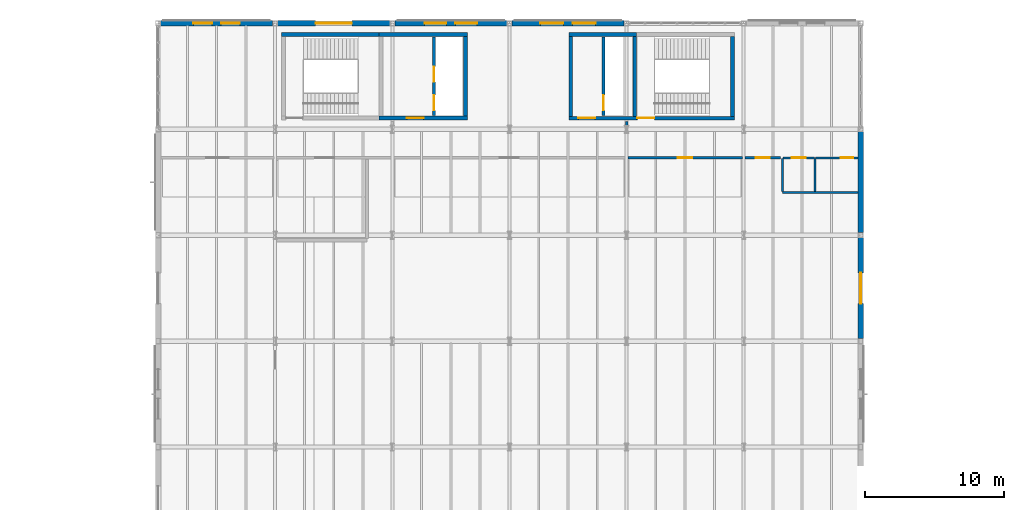
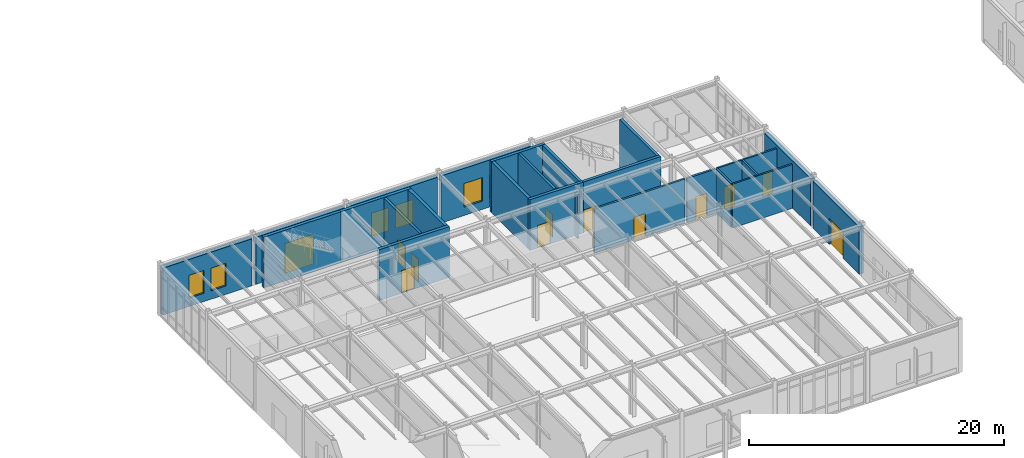
# One storey, part 89 of 109: 26 walls, 12 doors, 6 windows, 18 openings.
"""IFC4 building model written with IfcOpenShell, lengths in metres."""

import ifcopenshell
import ifcopenshell.guid

model = None  # the IFC model being written
_history = None  # IfcOwnerHistory: only IFC2X3 demands one
_inside = {}  # id of a spatial element -> (the spatial element, [elements in it])
_under = {}  # id of a project, library or spatial element -> (it, [spatial elements below it])
_declared = {}  # id of a project -> (the project, [libraries it declares])
_typed = {}  # id of a type object -> (the type object, [elements of that type])
_made_of = {}  # id of a material, layer set ... -> (it, [elements and type objects made of it])


def new_model(schema):
    """Start an empty IFC model of exactly this schema.

    Asked for "IFC4X3", IfcOpenShell would pick the latest addendum, in which some entities
    have other attributes; the version numbers below select the first issue.
    IFC2X3 requires an IfcOwnerHistory on every rooted entity: one is made here for all.
    """
    global model, _history
    if schema == "IFC4X3":
        model = ifcopenshell.file(schema_version=(4, 3, 0, 0))
    else:
        model = ifcopenshell.file(schema=schema)
    _inside.clear()
    _under.clear()
    _declared.clear()
    _typed.clear()
    _made_of.clear()
    _history = None
    if model.schema == "IFC2X3":
        org = make("IfcOrganization", Name="unknown")
        user = make(
            "IfcPersonAndOrganization",
            ThePerson=make("IfcPerson", FamilyName="unknown"),
            TheOrganization=org,
        )
        app = make(
            "IfcApplication",
            ApplicationDeveloper=org,
            Version="unknown",
            ApplicationFullName="unknown",
            ApplicationIdentifier="unknown",
        )
        _history = make(
            "IfcOwnerHistory",
            OwningUser=user,
            OwningApplication=app,
            ChangeAction="ADDED",
            CreationDate=0,
        )
    return model


def make(cls, **values):
    """One entity of the class cls with the attributes given. An attribute that is None is left unset."""
    return model.create_entity(
        cls, **{name: value for name, value in values.items() if value is not None}
    )


def rooted(cls, **values):
    """An entity with a GlobalId (a new one), such as an element, a storey or a relation."""
    return make(cls, GlobalId=ifcopenshell.guid.new(), OwnerHistory=_history, **values)


def si_unit(unit_type, name, prefix=None):
    """IfcSIUnit, for example si_unit("LENGTHUNIT", "METRE", prefix="MILLI")."""
    return make("IfcSIUnit", UnitType=unit_type, Prefix=prefix, Name=name)


def assignment(units):
    """IfcUnitAssignment: the units of a project."""
    return None if units is None else make("IfcUnitAssignment", Units=units)


def point(xyz):
    """IfcCartesianPoint."""
    return None if xyz is None else make("IfcCartesianPoint", Coordinates=xyz)


def direction(xyz):
    """IfcDirection."""
    return None if xyz is None else make("IfcDirection", DirectionRatios=xyz)


def frame(location, z_axis=None, x_axis=None):
    """IfcAxis2Placement3D, a coordinate frame: its origin and axes. An axis left out is left unset."""
    return make(
        "IfcAxis2Placement3D",
        Location=point(location),
        Axis=direction(z_axis),
        RefDirection=direction(x_axis),
    )


def frame_2d(location, x_axis=None):
    """IfcAxis2Placement2D, a coordinate frame in the plane: its origin and x axis."""
    return make(
        "IfcAxis2Placement2D", Location=point(location), RefDirection=direction(x_axis)
    )


def origin():
    """The frame at (0, 0, 0) with its axes left unset."""
    return frame((0.0, 0.0, 0.0))


def place(relative_to, where):
    """IfcLocalPlacement: puts the frame where relative to a parent placement (None: the world)."""
    return make(
        "IfcLocalPlacement", PlacementRelTo=relative_to, RelativePlacement=where
    )


def context(
    kind, dimensions, precision=None, world=None, true_north=None, identifier=None
):
    """IfcGeometricRepresentationContext, for example the 3D "Model" context."""
    return make(
        "IfcGeometricRepresentationContext",
        ContextIdentifier=identifier,
        ContextType=kind,
        CoordinateSpaceDimension=dimensions,
        Precision=precision,
        WorldCoordinateSystem=world,
        TrueNorth=true_north,
    )


def subcontext(parent, identifier, kind, view, scale=None):
    """IfcGeometricRepresentationSubContext, for example "Body" below "Model"."""
    return make(
        "IfcGeometricRepresentationSubContext",
        ContextIdentifier=identifier,
        ContextType=kind,
        ParentContext=parent,
        TargetScale=scale,
        TargetView=view,
    )


def project(units=None, contexts=None):
    """IfcProject with its units and contexts."""
    return rooted(
        "IfcProject",
        Name="project",
        RepresentationContexts=contexts,
        UnitsInContext=assignment(units),
    )


def spatial(cls, under=None, at=None, **own):
    """A site, building, storey or space (cls), placed at a placement, below another one or the project."""
    s = rooted(cls, ObjectPlacement=at, **own)
    if under is not None:
        _under.setdefault(under.id(), (under, []))[1].append(s)
    return s


def profile(cls, at=None, kind="AREA", **sizes):
    """A parametric profile (cls). Its sizes go by their IFC names, for example OverallWidth=200.0."""
    return make(cls, ProfileType=kind, Position=at, **sizes)


def rectangle(**sizes):
    """IfcRectangleProfileDef."""
    return profile("IfcRectangleProfileDef", **sizes)


def extrude(swept, where, along, depth):
    """IfcExtrudedAreaSolid: the profile swept, set in the frame where, extruded along a direction by depth."""
    return make(
        "IfcExtrudedAreaSolid",
        SweptArea=swept,
        Position=where,
        ExtrudedDirection=direction(along),
        Depth=depth,
    )


def shape(context_of_items, identifier, shape_type, items):
    """IfcShapeRepresentation: the items that make up one representation, for example the "Body"."""
    return make(
        "IfcShapeRepresentation",
        ContextOfItems=context_of_items,
        RepresentationIdentifier=identifier,
        RepresentationType=shape_type,
        Items=items,
    )


def material(Name=None, Category=None):
    """IfcMaterial."""
    return make("IfcMaterial", Name=Name, Category=Category)


def layer(
    of_material, thickness, ventilated=None, Name=None, Category=None, Priority=None
):
    """IfcMaterialLayer: one layer of a wall or slab, of a material (None: an air gap)."""
    return make(
        "IfcMaterialLayer",
        Material=of_material,
        LayerThickness=thickness,
        IsVentilated=ventilated,
        Name=Name,
        Category=Category,
        Priority=Priority,
    )


def layer_set(layers, Name=None):
    """IfcMaterialLayerSet."""
    return make("IfcMaterialLayerSet", MaterialLayers=layers, LayerSetName=Name)


def made_of(thing, what):
    """Note that an element or type object is made of a material, layer set ...; save() writes the relation."""
    if what is not None:
        _made_of.setdefault(what.id(), (what, []))[1].append(thing)
    return thing


def type_object(cls, material=None, **own):
    """A type object (cls), such as IfcWallType, which elements share."""
    return made_of(rooted(cls, **own), material)


def element(
    cls,
    number,
    at=None,
    inside=None,
    cuts=None,
    type_object=None,
    material=None,
    context=None,
    identifier="Body",
    shape_type=None,
    held_by="IfcProductDefinitionShape",
    body=None,
    shapes=None,
    **own,
):
    """One element of the class cls, such as IfcWall. Its Tag is "e" and its number.

    at: its placement. inside: the storey or other place that contains it. cuts: it is an
    opening in that element (IfcRelVoidsElement). A single representation is given by context,
    identifier, shape_type and body (its items); several are given by shapes. held_by: the class
    of the entity that holds the representations. save() writes the other relations.
    """
    e = rooted(cls, Tag="e%d" % number, ObjectPlacement=at, **own)
    if body is not None:
        shapes = [shape(context, identifier, shape_type, body)]
    if shapes is not None:
        e.Representation = make(held_by, Representations=shapes)
    if inside is not None:
        _inside.setdefault(inside.id(), (inside, []))[1].append(e)
    if cuts is not None:
        rooted(
            "IfcRelVoidsElement", RelatingBuildingElement=cuts, RelatedOpeningElement=e
        )
    if type_object is not None:
        _typed.setdefault(type_object.id(), (type_object, []))[1].append(e)
    return made_of(e, material)


def fill(opening, filler):
    """IfcRelFillsElement: the door or window that sits in an opening."""
    return rooted(
        "IfcRelFillsElement",
        RelatingOpeningElement=opening,
        RelatedBuildingElement=filler,
    )


def aggregate(whole, parts):
    """IfcRelAggregates: a whole, such as a stair, and the parts it consists of."""
    return rooted("IfcRelAggregates", RelatingObject=whole, RelatedObjects=parts)


def save(model, path):
    """Write the relations noted so far, then the file.

    IfcRelAggregates (storeys below a building ...), IfcRelContainedInSpatialStructure (elements
    in a storey), IfcRelDefinesByType, IfcRelAssociatesMaterial and IfcRelDeclares: one each for
    every whole, place, type object, material and project.
    """
    for whole, parts in _under.values():
        aggregate(whole, parts)
    for where, things in _inside.values():
        rooted(
            "IfcRelContainedInSpatialStructure",
            RelatedElements=things,
            RelatingStructure=where,
        )
    for kind, things in _typed.values():
        rooted("IfcRelDefinesByType", RelatedObjects=things, RelatingType=kind)
    for what, things in _made_of.values():
        rooted("IfcRelAssociatesMaterial", RelatedObjects=things, RelatingMaterial=what)
    for by, libraries in _declared.values():
        rooted("IfcRelDeclares", RelatingContext=by, RelatedDefinitions=libraries)
    model.write(path)


model = new_model("IFC4")

# Units and contexts
model_context = context("Model", 3, precision=1e-05, world=origin(), true_north=direction((0.0, 1.0)))
body_context = subcontext(model_context, "Body", "Model", "MODEL_VIEW")
ifc_project = project(units=[si_unit("LENGTHUNIT", "METRE"), si_unit("AREAUNIT", "SQUARE_METRE"), si_unit("VOLUMEUNIT", "CUBIC_METRE"), si_unit("PLANEANGLEUNIT", "RADIAN"), si_unit("MASSUNIT", "GRAM", prefix="KILO")], contexts=[model_context])

# Site, building, storey
site_placement = place(None, origin())
site = spatial("IfcSite", under=ifc_project, at=site_placement, CompositionType="ELEMENT")
building_placement = place(site_placement, origin())
building = spatial("IfcBuilding", under=site, at=building_placement, Name="Montecoro Central Library", CompositionType="ELEMENT")
storey_placement = place(building_placement, origin())
storey = spatial("IfcBuildingStorey", under=building, at=storey_placement, Name="L00", CompositionType="ELEMENT", Elevation=0.0)

# Wall, opening, door
ifc_material_1 = material(Name="Dark piperno stone clad concrete C35/45", Category="masonry")
ifc_layer_1 = layer(ifc_material_1, 0.385009765625)
ifc_layer_set_1 = layer_set([ifc_layer_1], Name="Dark piperno stone clad concrete C35/45")
wall_type_1 = type_object("IfcWallType", Name="EW-PIP-385", PredefinedType="SOLIDWALL", material=ifc_layer_set_1)
wall_1_placement = place(storey_placement, frame((116.800048828125, 96.3779296875, 0.0), z_axis=(0.0, 0.0, 1.0), x_axis=(0.0, 1.0, 0.0)))
wall_1 = element("IfcWall", 1, at=wall_1_placement, inside=storey, type_object=wall_type_1, Name="V2-L00-EW-E2", PredefinedType="SOLIDWALL", context=body_context, shape_type="SweptSolid", body=[
    extrude(rectangle(XDim=7.244140625, YDim=0.385009765625, at=frame_2d((3.6220703125, 0.0))), origin(), (0.0, 0.0, 1.0), 4.5),
])
opening_1_placement = place(wall_1_placement, frame((2.52197265625, 0.0, 0.0)))
opening_1 = element("IfcOpeningElement", 2, at=opening_1_placement, cuts=wall_1, Name="Opening ED-01", PredefinedType="OPENING", context=body_context, shape_type="SweptSolid", body=[
    extrude(rectangle(XDim=2.199951171875, YDim=2.5, at=frame_2d((1.10009765625, 1.25))), frame((0.0, 0.202392578125, 0.0), z_axis=(0.0, -1.0, 0.0), x_axis=(1.0, 0.0, 0.0)), (0.0, 0.0, 1.0), 0.405029296875),
])
ifc_material_2 = material(Name="Thermally broken architectural bronze and safety glass", Category="glass")
door_type_1 = type_object("IfcDoorType", Name="ED-EXIT-220", OperationType="NOTDEFINED", PredefinedType="DOOR", material=ifc_material_2)
door_1_placement = place(opening_1_placement, origin())
door_1 = element("IfcDoor", 3, at=door_1_placement, inside=storey, type_object=door_type_1, Name="V2-L00-ED-E2", OperationType="SINGLE_SWING_LEFT", OverallHeight=2.5, OverallWidth=2.199951171875, PredefinedType="DOOR", context=body_context, shape_type="SweptSolid", body=[
    extrude(rectangle(XDim=2.199951171875, YDim=2.5, at=frame_2d((1.10009765625, 1.25))), frame((0.0, 0.02490234375, 0.0), z_axis=(0.0, -1.0, 0.0), x_axis=(1.0, 0.0, 0.0)), (0.0, 0.0, 1.0), 0.050048828125),
])
fill(opening_1, door_1)

# Wall
wall_2_placement = place(storey_placement, frame((116.800048828125, 103.97802734375, 0.0), z_axis=(0.0, 0.0, 1.0), x_axis=(0.0, 1.0, 0.0)))
element("IfcWall", 4, at=wall_2_placement, inside=storey, type_object=wall_type_1, Name="V2-L00-EW-E3", PredefinedType="SOLIDWALL", context=body_context, shape_type="SweptSolid", body=[
    extrude(rectangle(XDim=7.243896484375, YDim=0.385009765625, at=frame_2d((3.6220703125, 0.0))), origin(), (0.0, 0.0, 1.0), 4.5),
])

# Wall, openings, windows
wall_3_placement = place(storey_placement, frame((99.822021484375, 119.0, 0.0), z_axis=(0.0, 0.0, 1.0), x_axis=(-1.0, 0.0, 0.0)))
wall_3 = element("IfcWall", 5, at=wall_3_placement, inside=storey, type_object=wall_type_1, Name="V2-L00-EW-N3", PredefinedType="SOLIDWALL", context=body_context, shape_type="SweptSolid", body=[
    extrude(rectangle(XDim=8.0439453125, YDim=0.385009765625, at=frame_2d((4.02197265625, 0.0))), origin(), (0.0, 0.0, 1.0), 4.5),
])
opening_2_placement = place(wall_3_placement, frame((2.047119140625, 0.0, 0.800048828125)))
opening_2 = element("IfcOpeningElement", 6, at=opening_2_placement, cuts=wall_3, Name="Opening WN-09", PredefinedType="OPENING", context=body_context, shape_type="SweptSolid", body=[
    extrude(rectangle(XDim=1.64990234375, YDim=2.25, at=frame_2d((0.824951171875, 1.125))), frame((0.0, 0.202392578125, 0.0), z_axis=(0.0, -1.0, 0.0), x_axis=(1.0, 0.0, 0.0)), (0.0, 0.0, 1.0), 0.405029296875),
])
opening_3_placement = place(wall_3_placement, frame((4.346923828125, 0.0, 0.800048828125)))
opening_3 = element("IfcOpeningElement", 7, at=opening_3_placement, cuts=wall_3, Name="Opening WN-09", PredefinedType="OPENING", context=body_context, shape_type="SweptSolid", body=[
    extrude(rectangle(XDim=1.64990234375, YDim=2.25, at=frame_2d((0.824951171875, 1.125))), frame((0.0, 0.202392578125, 0.0), z_axis=(0.0, -1.0, 0.0), x_axis=(1.0, 0.0, 0.0)), (0.0, 0.0, 1.0), 0.405029296875),
])
ifc_material_3 = material(Name="Laminated low-E double glazing", Category="glass")
window_type_1 = type_object("IfcWindowType", Name="WN-RDG-165", PartitioningType="SINGLE_PANEL", PredefinedType="WINDOW", material=ifc_material_3)
window_1_placement = place(opening_2_placement, origin())
window_1 = element("IfcWindow", 8, at=window_1_placement, inside=storey, type_object=window_type_1, Name="V2-L00-WN-N3-1", OverallHeight=2.25, OverallWidth=1.64990234375, PartitioningType="SINGLE_PANEL", PredefinedType="WINDOW", context=body_context, shape_type="SweptSolid", body=[
    extrude(rectangle(XDim=1.64990234375, YDim=2.25, at=frame_2d((0.824951171875, 1.125))), frame((0.0, 0.030029296875, 0.0), z_axis=(0.0, -1.0, 0.0), x_axis=(1.0, 0.0, 0.0)), (0.0, 0.0, 1.0), 0.06005859375),
])
fill(opening_2, window_1)
window_2_placement = place(opening_3_placement, origin())
window_2 = element("IfcWindow", 9, at=window_2_placement, inside=storey, type_object=window_type_1, Name="V2-L00-WN-N3-2", OverallHeight=2.25, OverallWidth=1.64990234375, PartitioningType="SINGLE_PANEL", PredefinedType="WINDOW", context=body_context, shape_type="SweptSolid", body=[
    extrude(rectangle(XDim=1.64990234375, YDim=2.25, at=frame_2d((0.824951171875, 1.125))), frame((0.0, 0.030029296875, 0.0), z_axis=(0.0, -1.0, 0.0), x_axis=(1.0, 0.0, 0.0)), (0.0, 0.0, 1.0), 0.06005859375),
])
fill(opening_3, window_2)

wall_4_placement = place(storey_placement, frame((91.422119140625, 119.0, 0.0), z_axis=(0.0, 0.0, 1.0), x_axis=(-1.0, 0.0, 0.0)))
wall_4 = element("IfcWall", 10, at=wall_4_placement, inside=storey, type_object=wall_type_1, Name="V2-L00-EW-N2", PredefinedType="SOLIDWALL", context=body_context, shape_type="SweptSolid", body=[
    extrude(rectangle(XDim=8.044189453125, YDim=0.385009765625, at=frame_2d((4.02197265625, 0.0))), origin(), (0.0, 0.0, 1.0), 4.5),
])
opening_4_placement = place(wall_4_placement, frame((2.14697265625, 0.0, 0.800048828125)))
opening_4 = element("IfcOpeningElement", 11, at=opening_4_placement, cuts=wall_4, Name="Opening WN-08", PredefinedType="OPENING", context=body_context, shape_type="SweptSolid", body=[
    extrude(rectangle(XDim=1.550048828125, YDim=2.219970703125, at=frame_2d((0.77490234375, 1.10986328125))), frame((0.0, 0.202392578125, 0.0), z_axis=(0.0, -1.0, 0.0), x_axis=(1.0, 0.0, 0.0)), (0.0, 0.0, 1.0), 0.405029296875),
])
opening_5_placement = place(wall_4_placement, frame((4.346923828125, 0.0, 0.800048828125)))
opening_5 = element("IfcOpeningElement", 12, at=opening_5_placement, cuts=wall_4, Name="Opening WN-08", PredefinedType="OPENING", context=body_context, shape_type="SweptSolid", body=[
    extrude(rectangle(XDim=1.550048828125, YDim=2.219970703125, at=frame_2d((0.77490234375, 1.10986328125))), frame((0.0, 0.202392578125, 0.0), z_axis=(0.0, -1.0, 0.0), x_axis=(1.0, 0.0, 0.0)), (0.0, 0.0, 1.0), 0.405029296875),
])
window_type_2 = type_object("IfcWindowType", Name="WN-RDG-155", PartitioningType="SINGLE_PANEL", PredefinedType="WINDOW", material=ifc_material_3)
window_3_placement = place(opening_4_placement, origin())
window_3 = element("IfcWindow", 13, at=window_3_placement, inside=storey, type_object=window_type_2, Name="V2-L00-WN-N2-1", OverallHeight=2.219970703125, OverallWidth=1.550048828125, PartitioningType="SINGLE_PANEL", PredefinedType="WINDOW", context=body_context, shape_type="SweptSolid", body=[
    extrude(rectangle(XDim=1.550048828125, YDim=2.219970703125, at=frame_2d((0.77490234375, 1.10986328125))), frame((0.0, 0.030029296875, 0.0), z_axis=(0.0, -1.0, 0.0), x_axis=(1.0, 0.0, 0.0)), (0.0, 0.0, 1.0), 0.06005859375),
])
fill(opening_4, window_3)
window_4_placement = place(opening_5_placement, origin())
window_4 = element("IfcWindow", 14, at=window_4_placement, inside=storey, type_object=window_type_2, Name="V2-L00-WN-N2-2", OverallHeight=2.219970703125, OverallWidth=1.550048828125, PartitioningType="SINGLE_PANEL", PredefinedType="WINDOW", context=body_context, shape_type="SweptSolid", body=[
    extrude(rectangle(XDim=1.550048828125, YDim=2.219970703125, at=frame_2d((0.77490234375, 1.10986328125))), frame((0.0, 0.030029296875, 0.0), z_axis=(0.0, -1.0, 0.0), x_axis=(1.0, 0.0, 0.0)), (0.0, 0.0, 1.0), 0.06005859375),
])
fill(opening_5, window_4)

# Wall, opening, door
wall_5_placement = place(storey_placement, frame((83.02197265625, 119.0, 0.0), z_axis=(0.0, 0.0, 1.0), x_axis=(-1.0, 0.0, 0.0)))
wall_5 = element("IfcWall", 15, at=wall_5_placement, inside=storey, type_object=wall_type_1, Name="V2-L00-EW-N1", PredefinedType="SOLIDWALL", context=body_context, shape_type="SweptSolid", body=[
    extrude(rectangle(XDim=8.0439453125, YDim=0.385009765625, at=frame_2d((4.02197265625, 0.0))), origin(), (0.0, 0.0, 1.0), 4.5),
])
opening_6_placement = place(wall_5_placement, frame((2.721923828125, 0.0, 0.0)))
opening_6 = element("IfcOpeningElement", 16, at=opening_6_placement, cuts=wall_5, Name="Opening EG-03", PredefinedType="OPENING", context=body_context, shape_type="SweptSolid", body=[
    extrude(rectangle(XDim=2.60009765625, YDim=2.85009765625, at=frame_2d((1.300048828125, 1.425048828125))), frame((0.0, 0.202392578125, 0.0), z_axis=(0.0, -1.0, 0.0), x_axis=(1.0, 0.0, 0.0)), (0.0, 0.0, 1.0), 0.405029296875),
])
door_type_2 = type_object("IfcDoorType", Name="ED-GATE-260", OperationType="NOTDEFINED", PredefinedType="GATE", material=ifc_material_2)
door_2_placement = place(opening_6_placement, origin())
door_2 = element("IfcDoor", 17, at=door_2_placement, inside=storey, type_object=door_type_2, Name="V2-L00-GT-N1", OperationType="DOUBLE_DOOR_SINGLE_SWING", OverallHeight=2.85009765625, OverallWidth=2.60009765625, PredefinedType="GATE", context=body_context, shape_type="SweptSolid", body=[
    extrude(rectangle(XDim=2.60009765625, YDim=2.85009765625, at=frame_2d((1.300048828125, 1.425048828125))), frame((0.0, 0.02490234375, 0.0), z_axis=(0.0, -1.0, 0.0), x_axis=(1.0, 0.0, 0.0)), (0.0, 0.0, 1.0), 0.050048828125),
])
fill(opening_6, door_2)

# Wall, openings, windows
wall_6_placement = place(storey_placement, frame((74.6220703125, 119.0, 0.0), z_axis=(0.0, 0.0, 1.0), x_axis=(-1.0, 0.0, 0.0)))
wall_6 = element("IfcWall", 18, at=wall_6_placement, inside=storey, type_object=wall_type_1, Name="V2-L00-EW-N0", PredefinedType="SOLIDWALL", context=body_context, shape_type="SweptSolid", body=[
    extrude(rectangle(XDim=8.044189453125, YDim=0.385009765625, at=frame_2d((4.02197265625, 0.0))), origin(), (0.0, 0.0, 1.0), 4.5),
])
opening_7_placement = place(wall_6_placement, frame((2.346923828125, 0.0, 0.800048828125)))
opening_7 = element("IfcOpeningElement", 19, at=opening_7_placement, cuts=wall_6, Name="Opening WN-06", PredefinedType="OPENING", context=body_context, shape_type="SweptSolid", body=[
    extrude(rectangle(XDim=1.35009765625, YDim=2.179931640625, at=frame_2d((0.675048828125, 1.08984375))), frame((0.0, 0.202392578125, 0.0), z_axis=(0.0, -1.0, 0.0), x_axis=(1.0, 0.0, 0.0)), (0.0, 0.0, 1.0), 0.405029296875),
])
opening_8_placement = place(wall_6_placement, frame((4.346923828125, 0.0, 0.800048828125)))
opening_8 = element("IfcOpeningElement", 20, at=opening_8_placement, cuts=wall_6, Name="Opening WN-06", PredefinedType="OPENING", context=body_context, shape_type="SweptSolid", body=[
    extrude(rectangle(XDim=1.35009765625, YDim=2.179931640625, at=frame_2d((0.675048828125, 1.08984375))), frame((0.0, 0.202392578125, 0.0), z_axis=(0.0, -1.0, 0.0), x_axis=(1.0, 0.0, 0.0)), (0.0, 0.0, 1.0), 0.405029296875),
])
window_type_3 = type_object("IfcWindowType", Name="WN-RDG-135", PartitioningType="SINGLE_PANEL", PredefinedType="WINDOW", material=ifc_material_3)
window_5_placement = place(opening_7_placement, origin())
window_5 = element("IfcWindow", 21, at=window_5_placement, inside=storey, type_object=window_type_3, Name="V2-L00-WN-N0-1", OverallHeight=2.179931640625, OverallWidth=1.35009765625, PartitioningType="SINGLE_PANEL", PredefinedType="WINDOW", context=body_context, shape_type="SweptSolid", body=[
    extrude(rectangle(XDim=1.35009765625, YDim=2.179931640625, at=frame_2d((0.675048828125, 1.08984375))), frame((0.0, 0.030029296875, 0.0), z_axis=(0.0, -1.0, 0.0), x_axis=(1.0, 0.0, 0.0)), (0.0, 0.0, 1.0), 0.06005859375),
])
fill(opening_7, window_5)
window_6_placement = place(opening_8_placement, origin())
window_6 = element("IfcWindow", 22, at=window_6_placement, inside=storey, type_object=window_type_3, Name="V2-L00-WN-N0-2", OverallHeight=2.179931640625, OverallWidth=1.35009765625, PartitioningType="SINGLE_PANEL", PredefinedType="WINDOW", context=body_context, shape_type="SweptSolid", body=[
    extrude(rectangle(XDim=1.35009765625, YDim=2.179931640625, at=frame_2d((0.675048828125, 1.08984375))), frame((0.0, 0.030029296875, 0.0), z_axis=(0.0, -1.0, 0.0), x_axis=(1.0, 0.0, 0.0)), (0.0, 0.0, 1.0), 0.06005859375),
])
fill(opening_8, window_6)

# Wall, opening, door
ifc_material_4 = material(Name="Gypsum fire-rated partition")
ifc_layer_2 = layer(ifc_material_4, 0.179931640625)
ifc_layer_set_2 = layer_set([ifc_layer_2], Name="Gypsum fire-rated partition")
wall_type_2 = type_object("IfcWallType", Name="IW-COR-180", PredefinedType="PARTITIONING", material=ifc_layer_set_2)
wall_7_placement = place(storey_placement, frame((100.090087890625, 109.35009765625, 0.0), z_axis=(0.0, 0.0, 1.0), x_axis=(1.0, 0.0, 0.0)))
wall_7 = element("IfcWall", 23, at=wall_7_placement, inside=storey, type_object=wall_type_2, Name="CORW-V2-L00-04", PredefinedType="PARTITIONING", context=body_context, shape_type="SweptSolid", body=[
    extrude(rectangle(XDim=8.219970703125, YDim=0.179931640625, at=frame_2d((4.10986328125, 0.0))), origin(), (0.0, 0.0, 1.0), 4.199951171875),
])
opening_9_placement = place(wall_7_placement, frame((3.5849609375, 0.0, 0.0)))
opening_9 = element("IfcOpeningElement", 24, at=opening_9_placement, cuts=wall_7, Name="Opening ID-13", PredefinedType="OPENING", context=body_context, shape_type="SweptSolid", body=[
    extrude(rectangle(XDim=1.050048828125, YDim=2.14990234375, at=frame_2d((0.52490234375, 1.074951171875))), frame((0.0, 0.099853515625, 0.0), z_axis=(0.0, -1.0, 0.0), x_axis=(1.0, 0.0, 0.0)), (0.0, 0.0, 1.0), 0.199951171875),
])
ifc_material_5 = material(Name="Solid oak and fire-rated steel door", Category="steel")
door_type_3 = type_object("IfcDoorType", Name="ID-RM-105", OperationType="NOTDEFINED", PredefinedType="DOOR", material=ifc_material_5)
door_3_placement = place(opening_9_placement, origin())
door_3 = element("IfcDoor", 25, at=door_3_placement, inside=storey, type_object=door_type_3, Name="DR-SP-V2-L00-R4P1", OperationType="SINGLE_SWING_RIGHT", OverallHeight=2.14990234375, OverallWidth=1.050048828125, PredefinedType="DOOR", context=body_context, shape_type="SweptSolid", body=[
    extrude(rectangle(XDim=1.050048828125, YDim=2.14990234375, at=frame_2d((0.52490234375, 1.074951171875))), frame((0.0, 0.02490234375, 0.0), z_axis=(0.0, -1.0, 0.0), x_axis=(1.0, 0.0, 0.0)), (0.0, 0.0, 1.0), 0.050048828125),
])
fill(opening_9, door_3)

wall_8_placement = place(storey_placement, frame((108.489990234375, 109.35009765625, 0.0), z_axis=(0.0, 0.0, 1.0), x_axis=(1.0, 0.0, 0.0)))
wall_8 = element("IfcWall", 26, at=wall_8_placement, inside=storey, type_object=wall_type_2, Name="CORW-V2-L00-05", PredefinedType="PARTITIONING", context=body_context, shape_type="SweptSolid", body=[
    extrude(rectangle(XDim=2.570068359375, YDim=0.179931640625, at=frame_2d((1.28515625, 0.0))), origin(), (0.0, 0.0, 1.0), 4.199951171875),
])
opening_10_placement = place(wall_8_placement, frame((0.794921875, 0.0, 0.0)))
opening_10 = element("IfcOpeningElement", 27, at=opening_10_placement, cuts=wall_8, Name="Opening ID-14", PredefinedType="OPENING", context=body_context, shape_type="SweptSolid", body=[
    extrude(rectangle(XDim=0.97998046875, YDim=2.14990234375, at=frame_2d((0.489990234375, 1.074951171875))), frame((0.0, 0.099853515625, 0.0), z_axis=(0.0, -1.0, 0.0), x_axis=(1.0, 0.0, 0.0)), (0.0, 0.0, 1.0), 0.199951171875),
])
door_type_4 = type_object("IfcDoorType", Name="ID-RM-098", OperationType="NOTDEFINED", PredefinedType="DOOR", material=ifc_material_5)
door_4_placement = place(opening_10_placement, origin())
door_4 = element("IfcDoor", 28, at=door_4_placement, inside=storey, type_object=door_type_4, Name="DR-SP-V2-L00-R5P1", OperationType="SINGLE_SWING_LEFT", OverallHeight=2.14990234375, OverallWidth=0.97998046875, PredefinedType="DOOR", context=body_context, shape_type="SweptSolid", body=[
    extrude(rectangle(XDim=0.97998046875, YDim=2.14990234375, at=frame_2d((0.489990234375, 1.074951171875))), frame((0.0, 0.02490234375, 0.0), z_axis=(0.0, -1.0, 0.0), x_axis=(1.0, 0.0, 0.0)), (0.0, 0.0, 1.0), 0.050048828125),
])
fill(opening_10, door_4)

# Wall
wall_9_placement = place(storey_placement, frame((100.0, 111.639892578125, 0.0), z_axis=(0.0, 0.0, 1.0), x_axis=(0.0, 1.0, 0.0)))
element("IfcWall", 29, at=wall_9_placement, inside=storey, type_object=wall_type_2, Name="PIL-V2-L00-2", PredefinedType="PARTITIONING", context=body_context, shape_type="SweptSolid", body=[
    extrude(rectangle(XDim=0.320068359375, YDim=0.179931640625, at=frame_2d((0.16015625, 0.0))), origin(), (0.0, 0.0, 1.0), 4.199951171875),
])

# Wall, openings, doors
ifc_material_6 = material(Name="Concrete C32/40", Category="concrete")
ifc_layer_3 = layer(ifc_material_6, 0.219970703125)
ifc_layer_set_3 = layer_set([ifc_layer_3], Name="Concrete C32/40")
wall_type_3 = type_object("IfcWallType", Name="IW-FFL-220", PredefinedType="SOLIDWALL", material=ifc_layer_set_3)
wall_10_placement = place(storey_placement, frame((86.199951171875, 112.39990234375, 0.0), z_axis=(0.0, 0.0, 1.0), x_axis=(0.0, 1.0, 0.0)))
wall_10 = element("IfcWall", 30, at=wall_10_placement, inside=storey, type_object=wall_type_3, Name="C2-L00-WLSH", PredefinedType="SOLIDWALL", context=body_context, shape_type="SweptSolid", body=[
    extrude(rectangle(XDim=5.60009765625, YDim=0.219970703125, at=frame_2d((2.800048828125, 0.0))), origin(), (0.0, 0.0, 1.0), 4.864990234375),
])
opening_11_placement = place(wall_10_placement, frame((0.35009765625, 0.0, 0.0)))
opening_11 = element("IfcOpeningElement", 31, at=opening_11_placement, cuts=wall_10, Name="Opening LD-01", PredefinedType="OPENING", context=body_context, shape_type="SweptSolid", body=[
    extrude(rectangle(XDim=1.10009765625, YDim=2.14990234375, at=frame_2d((0.550048828125, 1.074951171875))), frame((0.0, 0.119873046875, 0.0), z_axis=(0.0, -1.0, 0.0), x_axis=(1.0, 0.0, 0.0)), (0.0, 0.0, 1.0), 0.239990234375),
])
opening_12_placement = place(wall_10_placement, frame((2.39990234375, 0.0, 0.0)))
opening_12 = element("IfcOpeningElement", 32, at=opening_12_placement, cuts=wall_10, Name="Opening LD-01", PredefinedType="OPENING", context=body_context, shape_type="SweptSolid", body=[
    extrude(rectangle(XDim=1.10009765625, YDim=2.14990234375, at=frame_2d((0.550048828125, 1.074951171875))), frame((0.0, 0.119873046875, 0.0), z_axis=(0.0, -1.0, 0.0), x_axis=(1.0, 0.0, 0.0)), (0.0, 0.0, 1.0), 0.239990234375),
])
door_type_5 = type_object("IfcDoorType", Name="LD-LIFT-110", OperationType="NOTDEFINED", PredefinedType="DOOR", material=ifc_material_5)
door_5_placement = place(opening_11_placement, origin())
door_5 = element("IfcDoor", 33, at=door_5_placement, inside=storey, type_object=door_type_5, Name="C2-L00-LD-PL-02", OperationType="SLIDING_TO_LEFT", OverallHeight=2.14990234375, OverallWidth=1.10009765625, PredefinedType="DOOR", context=body_context, shape_type="SweptSolid", body=[
    extrude(rectangle(XDim=1.10009765625, YDim=2.14990234375, at=frame_2d((0.550048828125, 1.074951171875))), frame((0.0, 0.02490234375, 0.0), z_axis=(0.0, -1.0, 0.0), x_axis=(1.0, 0.0, 0.0)), (0.0, 0.0, 1.0), 0.050048828125),
])
fill(opening_11, door_5)
door_6_placement = place(opening_12_placement, origin())
door_6 = element("IfcDoor", 34, at=door_6_placement, inside=storey, type_object=door_type_5, Name="C2-L00-LD-FFL-01", OperationType="SLIDING_TO_LEFT", OverallHeight=2.14990234375, OverallWidth=1.10009765625, PredefinedType="DOOR", context=body_context, shape_type="SweptSolid", body=[
    extrude(rectangle(XDim=1.10009765625, YDim=2.14990234375, at=frame_2d((0.550048828125, 1.074951171875))), frame((0.0, 0.02490234375, 0.0), z_axis=(0.0, -1.0, 0.0), x_axis=(1.0, 0.0, 0.0)), (0.0, 0.0, 1.0), 0.050048828125),
])
fill(opening_12, door_6)

# Wall, opening, door
wall_11_placement = place(storey_placement, frame((98.35009765625, 112.39990234375, 0.0), z_axis=(0.0, 0.0, 1.0), x_axis=(0.0, 1.0, 0.0)))
wall_11 = element("IfcWall", 35, at=wall_11_placement, inside=storey, type_object=wall_type_3, Name="C3-L00-WLSH", PredefinedType="SOLIDWALL", context=body_context, shape_type="SweptSolid", body=[
    extrude(rectangle(XDim=5.60009765625, YDim=0.219970703125, at=frame_2d((2.800048828125, 0.0))), origin(), (0.0, 0.0, 1.0), 4.864990234375),
])
opening_13_placement = place(wall_11_placement, frame((0.35009765625, 0.0, 0.0)))
opening_13 = element("IfcOpeningElement", 36, at=opening_13_placement, cuts=wall_11, Name="Opening LD-01", PredefinedType="OPENING", context=body_context, shape_type="SweptSolid", body=[
    extrude(rectangle(XDim=1.10009765625, YDim=2.14990234375, at=frame_2d((0.550048828125, 1.074951171875))), frame((0.0, 0.119873046875, 0.0), z_axis=(0.0, -1.0, 0.0), x_axis=(1.0, 0.0, 0.0)), (0.0, 0.0, 1.0), 0.239990234375),
])
door_7_placement = place(opening_13_placement, origin())
door_7 = element("IfcDoor", 37, at=door_7_placement, inside=storey, type_object=door_type_5, Name="C3-L00-LD-PL-03", OperationType="SLIDING_TO_LEFT", OverallHeight=2.14990234375, OverallWidth=1.10009765625, PredefinedType="DOOR", context=body_context, shape_type="SweptSolid", body=[
    extrude(rectangle(XDim=1.10009765625, YDim=2.14990234375, at=frame_2d((0.550048828125, 1.074951171875))), frame((0.0, 0.02490234375, 0.0), z_axis=(0.0, -1.0, 0.0), x_axis=(1.0, 0.0, 0.0)), (0.0, 0.0, 1.0), 0.050048828125),
])
fill(opening_13, door_7)

ifc_material_7 = material(Name="Concrete C35/45", Category="concrete")
ifc_layer_4 = layer(ifc_material_7, 0.260009765625)
ifc_layer_set_4 = layer_set([ifc_layer_4], Name="Concrete C35/45")
wall_type_4 = type_object("IfcWallType", Name="IW-SHR-260", PredefinedType="SHEAR", material=ifc_layer_set_4)
wall_12_placement = place(storey_placement, frame((95.8701171875, 112.199951171875, 0.0), z_axis=(0.0, 0.0, 1.0), x_axis=(1.0, 0.0, 0.0)))
wall_12 = element("IfcWall", 38, at=wall_12_placement, inside=storey, type_object=wall_type_4, Name="C3-L00-LWS", PredefinedType="SHEAR", context=body_context, shape_type="SweptSolid", body=[
    extrude(rectangle(XDim=4.85986328125, YDim=0.260009765625, at=frame_2d((2.429931640625, 0.0))), origin(), (0.0, 0.0, 1.0), 4.864990234375),
])
opening_14_placement = place(wall_12_placement, frame((0.679931640625, 0.0, 0.0)))
opening_14 = element("IfcOpeningElement", 39, at=opening_14_placement, cuts=wall_12, Name="Opening ID-03", PredefinedType="OPENING", context=body_context, shape_type="SweptSolid", body=[
    extrude(rectangle(XDim=1.199951171875, YDim=2.159912109375, at=frame_2d((0.60009765625, 1.080078125))), frame((0.0, 0.139892578125, 0.0), z_axis=(0.0, -1.0, 0.0), x_axis=(1.0, 0.0, 0.0)), (0.0, 0.0, 1.0), 0.280029296875),
])
door_type_6 = type_object("IfcDoorType", Name="ID-FFL-120", OperationType="NOTDEFINED", PredefinedType="DOOR", material=ifc_material_5)
door_8_placement = place(opening_14_placement, origin())
door_8 = element("IfcDoor", 40, at=door_8_placement, inside=storey, type_object=door_type_6, Name="C3-L00-DLOB", OperationType="SINGLE_SWING_LEFT", OverallHeight=2.159912109375, OverallWidth=1.199951171875, PredefinedType="DOOR", context=body_context, shape_type="SweptSolid", body=[
    extrude(rectangle(XDim=1.199951171875, YDim=2.159912109375, at=frame_2d((0.60009765625, 1.080078125))), frame((0.0, 0.02490234375, 0.0), z_axis=(0.0, -1.0, 0.0), x_axis=(1.0, 0.0, 0.0)), (0.0, 0.0, 1.0), 0.050048828125),
])
fill(opening_14, door_8)

# Walls
wall_13_placement = place(storey_placement, frame((100.72998046875, 118.199951171875, 0.0), z_axis=(0.0, 0.0, 1.0), x_axis=(-1.0, 0.0, 0.0)))
element("IfcWall", 41, at=wall_13_placement, inside=storey, type_object=wall_type_4, Name="C3-L00-LWN", PredefinedType="SHEAR", context=body_context, shape_type="SweptSolid", body=[
    extrude(rectangle(XDim=4.85986328125, YDim=0.260009765625, at=frame_2d((2.429931640625, 0.0))), origin(), (0.0, 0.0, 1.0), 4.864990234375),
])
wall_14_placement = place(storey_placement, frame((96.0, 118.070068359375, 0.0), z_axis=(0.0, 0.0, 1.0), x_axis=(0.0, -1.0, 0.0)))
element("IfcWall", 42, at=wall_14_placement, inside=storey, type_object=wall_type_4, Name="C3-L00-LWW", PredefinedType="SHEAR", context=body_context, shape_type="SweptSolid", body=[
    extrude(rectangle(XDim=5.739990234375, YDim=0.260009765625, at=frame_2d((2.8701171875, 0.0))), origin(), (0.0, 0.0, 1.0), 4.864990234375),
])

# Wall, opening, door
wall_15_placement = place(storey_placement, frame((100.469970703125, 112.199951171875, 0.0), z_axis=(0.0, 0.0, 1.0), x_axis=(1.0, 0.0, 0.0)))
wall_15 = element("IfcWall", 43, at=wall_15_placement, inside=storey, type_object=wall_type_4, Name="C3-L00-WS", PredefinedType="SHEAR", context=body_context, shape_type="SweptSolid", body=[
    extrude(rectangle(XDim=7.260009765625, YDim=0.260009765625, at=frame_2d((3.6298828125, 0.0))), origin(), (0.0, 0.0, 1.0), 4.864990234375),
])
opening_15_placement = place(wall_15_placement, frame((0.31005859375, 0.0, 0.0)))
opening_15 = element("IfcOpeningElement", 44, at=opening_15_placement, cuts=wall_15, Name="Opening ID-01", PredefinedType="OPENING", context=body_context, shape_type="SweptSolid", body=[
    extrude(rectangle(XDim=1.219970703125, YDim=2.179931640625, at=frame_2d((0.60986328125, 1.08984375))), frame((0.0, 0.139892578125, 0.0), z_axis=(0.0, -1.0, 0.0), x_axis=(1.0, 0.0, 0.0)), (0.0, 0.0, 1.0), 0.280029296875),
])
door_type_7 = type_object("IfcDoorType", Name="ID-STR-140", OperationType="NOTDEFINED", PredefinedType="DOOR", material=ifc_material_5)
door_9_placement = place(opening_15_placement, origin())
door_9 = element("IfcDoor", 45, at=door_9_placement, inside=storey, type_object=door_type_7, Name="C3-L00-DSTR", OperationType="SINGLE_SWING_RIGHT", OverallHeight=2.179931640625, OverallWidth=1.219970703125, PredefinedType="DOOR", context=body_context, shape_type="SweptSolid", body=[
    extrude(rectangle(XDim=1.219970703125, YDim=2.179931640625, at=frame_2d((0.60986328125, 1.08984375))), frame((0.0, 0.02490234375, 0.0), z_axis=(0.0, -1.0, 0.0), x_axis=(1.0, 0.0, 0.0)), (0.0, 0.0, 1.0), 0.050048828125),
])
fill(opening_15, door_9)

# Walls
for number, where, z_axis, x_axis, name in (
    (46, (100.60009765625, 112.330078125, 0.0), (0.0, 0.0, 1.0), (0.0, 1.0, 0.0), "C3-L00-WW"),
    (47, (107.60009765625, 112.330078125, 0.0), (0.0, 0.0, 1.0), (0.0, 1.0, 0.0), "C3-L00-WE"),
):
    element("IfcWall", number, at=place(storey_placement, frame(where, z_axis=z_axis, x_axis=x_axis)), inside=storey, type_object=wall_type_4, Name=name, PredefinedType="SHEAR", context=body_context, shape_type="SweptSolid", body=[
        extrude(rectangle(XDim=5.739990234375, YDim=0.260009765625, at=frame_2d((2.8701171875, 0.0))), origin(), (0.0, 0.0, 1.0), 4.864990234375),
    ])

# Wall, opening, door
ifc_layer_5 = layer(ifc_material_7, 0.280029296875)
ifc_layer_set_5 = layer_set([ifc_layer_5], Name="Concrete C35/45")
wall_type_5 = type_object("IfcWallType", Name="IW-SHR-280", PredefinedType="SHEAR", material=ifc_layer_set_5)
wall_16_placement = place(storey_placement, frame((82.260009765625, 112.199951171875, 0.0), z_axis=(0.0, 0.0, 1.0), x_axis=(1.0, 0.0, 0.0)))
wall_16 = element("IfcWall", 48, at=wall_16_placement, inside=storey, type_object=wall_type_5, Name="C2-L00-LWS", PredefinedType="SHEAR", context=body_context, shape_type="SweptSolid", body=[
    extrude(rectangle(XDim=6.330078125, YDim=0.280029296875, at=frame_2d((3.1650390625, 0.0))), origin(), (0.0, 0.0, 1.0), 4.864990234375),
])
opening_16_placement = place(wall_16_placement, frame((1.989990234375, 0.0, 0.0)))
opening_16 = element("IfcOpeningElement", 49, at=opening_16_placement, cuts=wall_16, Name="Opening ID-03", PredefinedType="OPENING", context=body_context, shape_type="SweptSolid", body=[
    extrude(rectangle(XDim=1.199951171875, YDim=2.159912109375, at=frame_2d((0.60009765625, 1.080078125))), frame((0.0, 0.14990234375, 0.0), z_axis=(0.0, -1.0, 0.0), x_axis=(1.0, 0.0, 0.0)), (0.0, 0.0, 1.0), 0.300048828125),
])
door_10_placement = place(opening_16_placement, origin())
door_10 = element("IfcDoor", 50, at=door_10_placement, inside=storey, type_object=door_type_6, Name="C2-L00-DLOB", OperationType="SINGLE_SWING_LEFT", OverallHeight=2.159912109375, OverallWidth=1.199951171875, PredefinedType="DOOR", context=body_context, shape_type="SweptSolid", body=[
    extrude(rectangle(XDim=1.199951171875, YDim=2.159912109375, at=frame_2d((0.60009765625, 1.080078125))), frame((0.0, 0.02490234375, 0.0), z_axis=(0.0, -1.0, 0.0), x_axis=(1.0, 0.0, 0.0)), (0.0, 0.0, 1.0), 0.050048828125),
])
fill(opening_16, door_10)

# Walls
wall_17_placement = place(storey_placement, frame((88.590087890625, 118.199951171875, 0.0), z_axis=(0.0, 0.0, 1.0), x_axis=(-1.0, 0.0, 0.0)))
element("IfcWall", 51, at=wall_17_placement, inside=storey, type_object=wall_type_5, Name="C2-L00-LWN", PredefinedType="SHEAR", context=body_context, shape_type="SweptSolid", body=[
    extrude(rectangle(XDim=6.330078125, YDim=0.280029296875, at=frame_2d((3.1650390625, 0.0))), origin(), (0.0, 0.0, 1.0), 4.864990234375),
])
wall_18_placement = place(storey_placement, frame((88.449951171875, 112.340087890625, 0.0), z_axis=(0.0, 0.0, 1.0), x_axis=(0.0, 1.0, 0.0)))
element("IfcWall", 52, at=wall_18_placement, inside=storey, type_object=wall_type_5, Name="C2-L00-LWE", PredefinedType="SHEAR", context=body_context, shape_type="SweptSolid", body=[
    extrude(rectangle(XDim=5.719970703125, YDim=0.280029296875, at=frame_2d((2.85986328125, 0.0))), origin(), (0.0, 0.0, 1.0), 4.864990234375),
])
wall_19_placement = place(storey_placement, frame((75.260009765625, 118.199951171875, 0.0), z_axis=(0.0, 0.0, 1.0), x_axis=(1.0, 0.0, 0.0)))
element("IfcWall", 53, at=wall_19_placement, inside=storey, type_object=wall_type_5, Name="C2-L00-WN", PredefinedType="SHEAR", context=body_context, shape_type="SweptSolid", body=[
    extrude(rectangle(XDim=7.280029296875, YDim=0.280029296875, at=frame_2d((3.64013671875, 0.0))), origin(), (0.0, 0.0, 1.0), 4.864990234375),
])
ifc_material_8 = material(Name="Moisture-resistant ceramic-tiled partition")
ifc_layer_6 = layer(ifc_material_8, 0.14990234375)
ifc_layer_set_6 = layer_set([ifc_layer_6], Name="Moisture-resistant ceramic-tiled partition")
wall_type_6 = type_object("IfcWallType", Name="IW-WET-150", PredefinedType="PARTITIONING", material=ifc_layer_set_6)
wall_20_placement = place(storey_placement, frame((111.179931640625, 106.8701171875, 0.0), z_axis=(0.0, 0.0, 1.0), x_axis=(1.0, 0.0, 0.0)))
element("IfcWall", 54, at=wall_20_placement, inside=storey, type_object=wall_type_6, Name="WC-V2-L00-WBK", PredefinedType="PARTITIONING", context=body_context, shape_type="SweptSolid", body=[
    extrude(rectangle(XDim=5.420166015625, YDim=0.14990234375, at=frame_2d((2.7099609375, 0.0))), origin(), (0.0, 0.0, 1.0), 4.199951171875),
])
for number, where, z_axis, x_axis, name in (
    (55, (111.179931640625, 106.929931640625, 0.0), (0.0, 0.0, 1.0), (0.0, 1.0, 0.0), "WC-V2-L00-WW"),
    (56, (113.530029296875, 106.929931640625, 0.0), (0.0, 0.0, 1.0), (0.0, 1.0, 0.0), "WC-V2-L00-WM"),
):
    element("IfcWall", number, at=place(storey_placement, frame(where, z_axis=z_axis, x_axis=x_axis)), inside=storey, type_object=wall_type_6, Name=name, PredefinedType="PARTITIONING", context=body_context, shape_type="SweptSolid", body=[
        extrude(rectangle(XDim=2.360107421875, YDim=0.14990234375, at=frame_2d((1.18017578125, 0.0))), origin(), (0.0, 0.0, 1.0), 4.199951171875),
    ])

# Wall, opening, door
wall_21_placement = place(storey_placement, frame((111.239990234375, 109.35009765625, 0.0), z_axis=(0.0, 0.0, 1.0), x_axis=(1.0, 0.0, 0.0)))
wall_21 = element("IfcWall", 57, at=wall_21_placement, inside=storey, type_object=wall_type_6, Name="WC-V2-L00-WFA", PredefinedType="PARTITIONING", context=body_context, shape_type="SweptSolid", body=[
    extrude(rectangle(XDim=2.25, YDim=0.14990234375, at=frame_2d((1.125, 0.0))), origin(), (0.0, 0.0, 1.0), 4.199951171875),
])
opening_17_placement = place(wall_21_placement, frame((0.625, 0.0, 0.0)))
opening_17 = element("IfcOpeningElement", 58, at=opening_17_placement, cuts=wall_21, Name="Opening ID-15", PredefinedType="OPENING", context=body_context, shape_type="SweptSolid", body=[
    extrude(rectangle(XDim=1.0, YDim=2.14990234375, at=frame_2d((0.5, 1.074951171875))), frame((0.0, 0.0849609375, 0.0), z_axis=(0.0, -1.0, 0.0), x_axis=(1.0, 0.0, 0.0)), (0.0, 0.0, 1.0), 0.169921875),
])
door_type_8 = type_object("IfcDoorType", Name="ID-AWC-100", OperationType="NOTDEFINED", PredefinedType="DOOR", material=ifc_material_5)
door_11_placement = place(opening_17_placement, origin())
door_11 = element("IfcDoor", 59, at=door_11_placement, inside=storey, type_object=door_type_8, Name="DR-SP-V2-L00-AWC", OperationType="SINGLE_SWING_LEFT", OverallHeight=2.14990234375, OverallWidth=1.0, PredefinedType="DOOR", context=body_context, shape_type="SweptSolid", body=[
    extrude(rectangle(XDim=1.0, YDim=2.14990234375, at=frame_2d((0.5, 1.074951171875))), frame((0.0, 0.02490234375, 0.0), z_axis=(0.0, -1.0, 0.0), x_axis=(1.0, 0.0, 0.0)), (0.0, 0.0, 1.0), 0.050048828125),
])
fill(opening_17, door_11)

wall_22_placement = place(storey_placement, frame((113.570068359375, 109.35009765625, 0.0), z_axis=(0.0, 0.0, 1.0), x_axis=(1.0, 0.0, 0.0)))
wall_22 = element("IfcWall", 60, at=wall_22_placement, inside=storey, type_object=wall_type_6, Name="WC-V2-L00-WFP", PredefinedType="PARTITIONING", context=body_context, shape_type="SweptSolid", body=[
    extrude(rectangle(XDim=3.030029296875, YDim=0.14990234375, at=frame_2d((1.51513671875, 0.0))), origin(), (0.0, 0.0, 1.0), 4.199951171875),
])
opening_18_placement = place(wall_22_placement, frame((1.780029296875, 0.0, 0.0)))
opening_18 = element("IfcOpeningElement", 61, at=opening_18_placement, cuts=wall_22, Name="Opening ID-16", PredefinedType="OPENING", context=body_context, shape_type="SweptSolid", body=[
    extrude(rectangle(XDim=0.89990234375, YDim=2.14990234375, at=frame_2d((0.449951171875, 1.074951171875))), frame((0.0, 0.0849609375, 0.0), z_axis=(0.0, -1.0, 0.0), x_axis=(1.0, 0.0, 0.0)), (0.0, 0.0, 1.0), 0.169921875),
])
door_type_9 = type_object("IfcDoorType", Name="ID-WC-090", OperationType="NOTDEFINED", PredefinedType="DOOR", material=ifc_material_5)
door_12_placement = place(opening_18_placement, origin())
door_12 = element("IfcDoor", 62, at=door_12_placement, inside=storey, type_object=door_type_9, Name="DR-SP-V2-L00-PWC", OperationType="SINGLE_SWING_RIGHT", OverallHeight=2.14990234375, OverallWidth=0.89990234375, PredefinedType="DOOR", context=body_context, shape_type="SweptSolid", body=[
    extrude(rectangle(XDim=0.89990234375, YDim=2.14990234375, at=frame_2d((0.449951171875, 1.074951171875))), frame((0.0, 0.02490234375, 0.0), z_axis=(0.0, -1.0, 0.0), x_axis=(1.0, 0.0, 0.0)), (0.0, 0.0, 1.0), 0.050048828125),
])
fill(opening_18, door_12)

save(model, "model.ifc")
